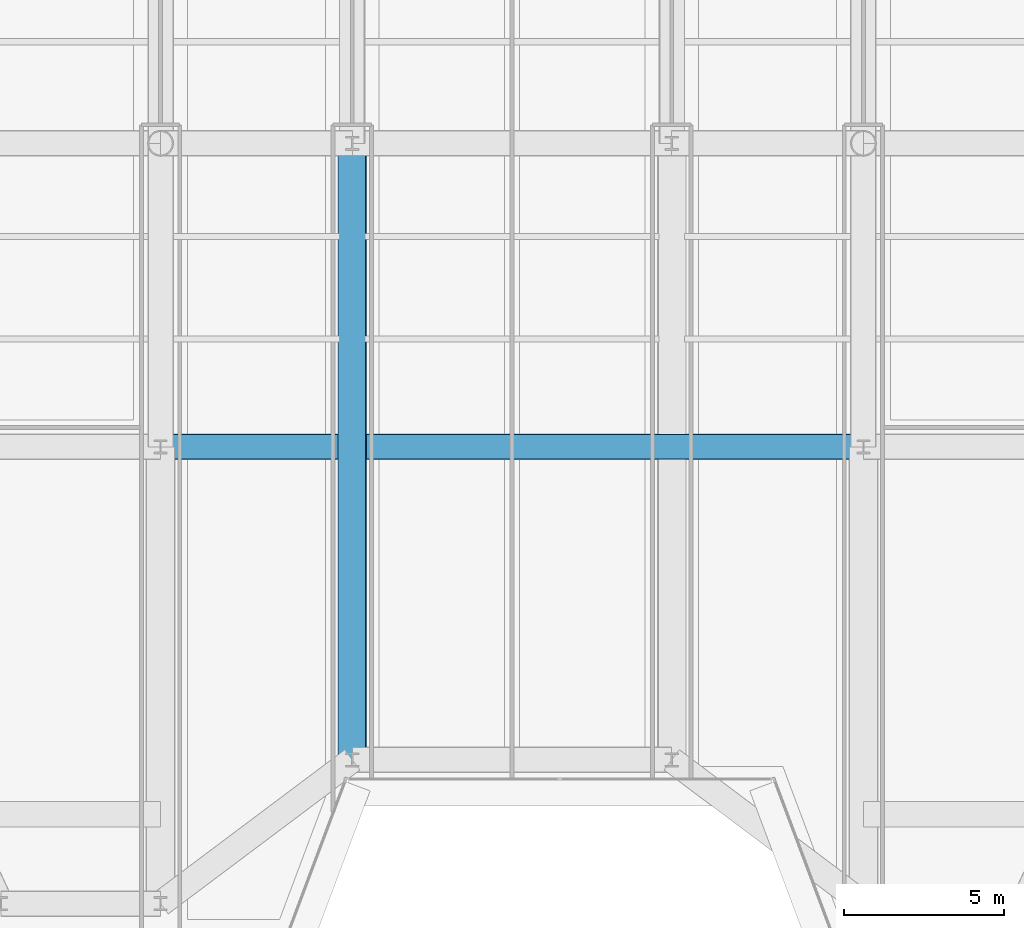
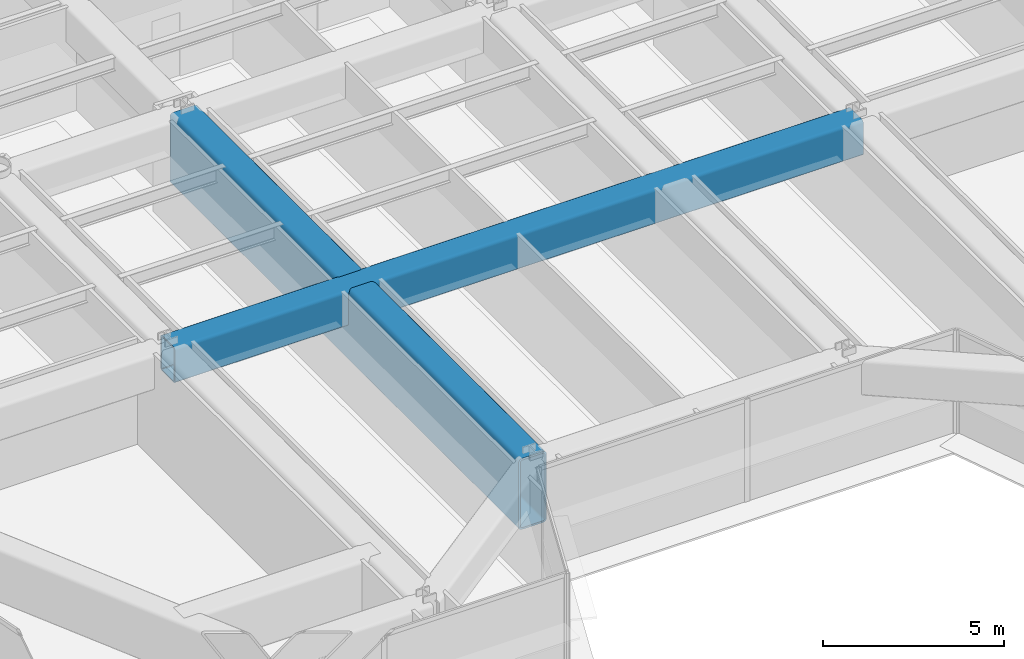
# One storey, part 3 of 17: 2 beams.
"""IFC4 building model written with IfcOpenShell, lengths in metres."""

from ifc_helpers import new_model, si_unit, direction, frame, origin, origin_2d, place, context, subcontext, project, spatial, hollow_rectangle, extrude, source, transform, mapped, material, material_profile, profile_set, type_object, element, save


model = new_model("IFC4")

# Units and contexts
model_context = context("Model", 3, precision=1e-05, world=origin(), true_north=direction((0.0, 1.0)))
body_context = subcontext(model_context, "Body", "Model", "MODEL_VIEW")
ifc_project = project(units=[si_unit("LENGTHUNIT", "METRE"), si_unit("AREAUNIT", "SQUARE_METRE"), si_unit("VOLUMEUNIT", "CUBIC_METRE"), si_unit("PLANEANGLEUNIT", "RADIAN"), si_unit("MASSUNIT", "GRAM", prefix="KILO")], contexts=[model_context])

# Site, building, storey
site_placement = place(None, origin())
site = spatial("IfcSite", under=ifc_project, at=site_placement, CompositionType="ELEMENT")
building_placement = place(site_placement, origin())
building = spatial("IfcBuilding", under=site, at=building_placement, Name="Vaeldorn Concourse Tower", CompositionType="ELEMENT")
storey_placement = place(building_placement, frame((0.0, 0.0, 176.60009765625)))
storey = spatial("IfcBuildingStorey", under=building, at=storey_placement, Name="L45", CompositionType="ELEMENT", Elevation=176.60009765625)

# Beams
ifc_material = material(Name="Steel S460", Category="steel")
ifc_material_profile_1 = material_profile(ifc_material, hollow_rectangle(XDim=0.800048828125, YDim=1.199951171875, WallThickness=0.044921875, InnerFilletRadius=0.044921875, OuterFilletRadius=0.090087890625, at=origin_2d()), Name="RHS 1200x800x45")
ifc_profile_set_1 = profile_set([ifc_material_profile_1], Name="Steel S460")
beam_type_1 = type_object("IfcBeamType", Name="BM-TG-RHS1200", PredefinedType="BEAM", material=ifc_profile_set_1)
shared_shape_1 = source(origin(), body_context, "Body", "SweptSolid", [
    extrude(hollow_rectangle(XDim=0.800048828125, YDim=1.199951171875, WallThickness=0.044921875, InnerFilletRadius=0.044921875, OuterFilletRadius=0.090087890625, at=origin_2d()), origin(), (0.0, 0.0, 1.0), 22.0),
])
beam_1_placement = place(storey_placement, frame((23.0, 18.0, 2.97998046875), z_axis=(1.0, 0.0, 0.0), x_axis=(0.0, 1.0, 0.0)))
element("IfcBeam", 1, at=beam_1_placement, inside=storey, type_object=beam_type_1, Name="Beam BM-L45-C-TW5-C-TW6", PredefinedType="BEAM", context=body_context, shape_type="MappedRepresentation", body=[
    mapped(shared_shape_1, transform((0.0, 0.0, 0.0), scale=1.0)),
])
ifc_material_profile_2 = material_profile(ifc_material, hollow_rectangle(XDim=0.89990234375, YDim=2.39990234375, WallThickness=0.06005859375, InnerFilletRadius=0.06005859375, OuterFilletRadius=0.1201171875, at=origin_2d()), Name="RHS 2400x900x60")
ifc_profile_set_2 = profile_set([ifc_material_profile_2], Name="Steel S460")
beam_type_2 = type_object("IfcBeamType", Name="BM-TG-BOX2400", PredefinedType="BEAM", material=ifc_profile_set_2)
shared_shape_2 = source(origin(), body_context, "Body", "SweptSolid", [
    extrude(hollow_rectangle(XDim=0.89990234375, YDim=2.39990234375, WallThickness=0.06005859375, InnerFilletRadius=0.06005859375, OuterFilletRadius=0.1201171875, at=origin_2d()), origin(), (0.0, 0.0, 1.0), 19.300048828125),
])
beam_2_placement = place(storey_placement, frame((29.0, 8.199951171875, 2.3798828125), z_axis=(0.0, 1.0, 0.0), x_axis=(-1.0, 0.0, 0.0)))
element("IfcBeam", 2, at=beam_2_placement, inside=storey, type_object=beam_type_2, Name="Beam BM-SETBACK-L45-C-SF3", PredefinedType="BEAM", context=body_context, shape_type="MappedRepresentation", body=[
    mapped(shared_shape_2, transform((0.0, 0.0, 0.0), scale=1.0)),
])

save(model, "model.ifc")
